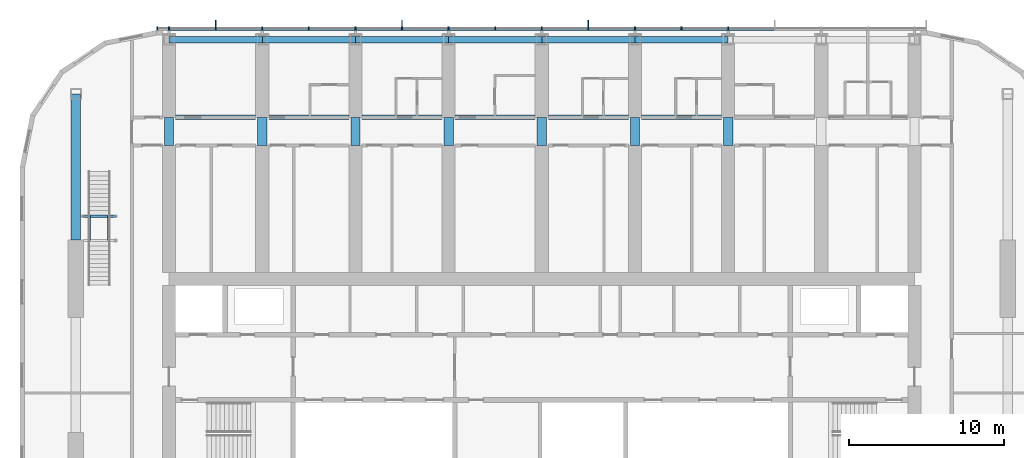
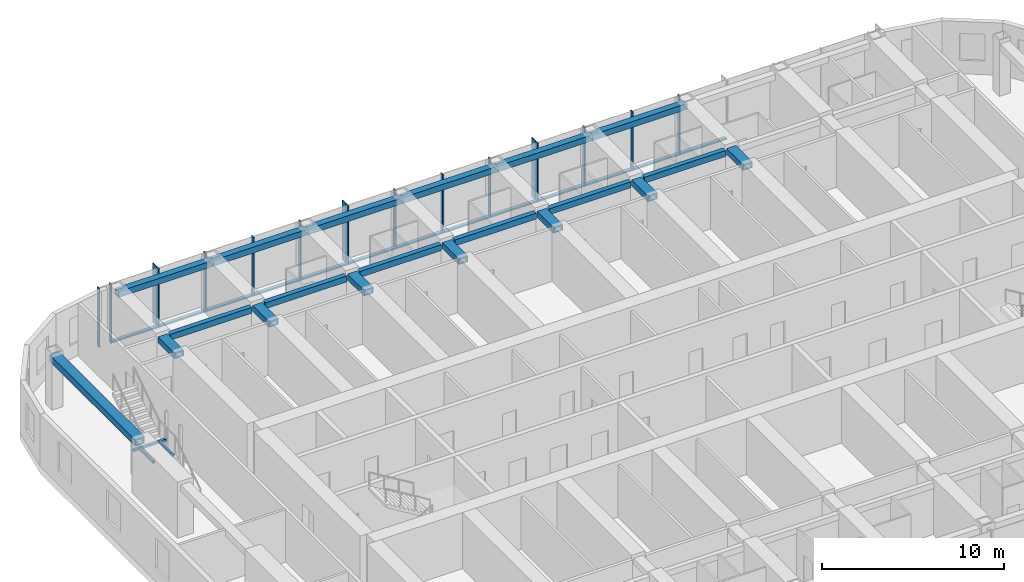
# One storey, part 8 of 29: 30 members, 23 beams, 1 element without a shape of its own.
"""IFC4 building model written with IfcOpenShell, lengths in metres."""

from ifc_helpers import new_model, si_unit, direction, frame, origin, origin_2d, place, context, subcontext, project, spatial, rectangle, hollow_rectangle, extrude, material, material_profile, profile_set, type_object, element, aggregate, save


model = new_model("IFC4")

# Units and contexts
model_context = context("Model", 3, precision=1e-05, world=origin(), true_north=direction((0.0, 1.0)))
body_context = subcontext(model_context, "Body", "Model", "MODEL_VIEW")
ifc_project = project(units=[si_unit("LENGTHUNIT", "METRE"), si_unit("AREAUNIT", "SQUARE_METRE"), si_unit("VOLUMEUNIT", "CUBIC_METRE"), si_unit("PLANEANGLEUNIT", "RADIAN"), si_unit("MASSUNIT", "GRAM", prefix="KILO")], contexts=[model_context])

# Site, building, storey
site_placement = place(None, origin())
site = spatial("IfcSite", under=ifc_project, at=site_placement, CompositionType="ELEMENT")
building_placement = place(site_placement, origin())
building = spatial("IfcBuilding", under=site, at=building_placement, Name="Orbita Commons", CompositionType="ELEMENT")
storey_placement = place(building_placement, frame((0.0, 0.0, 163.60009765625)))
storey = spatial("IfcBuildingStorey", under=building, at=storey_placement, Name="L40", CompositionType="ELEMENT", Elevation=163.60009765625)

# Curtain wall, members
ifc_material_1 = material(Name="Anodised aluminium frame, pale silver", Category="aluminium")
curtain_wall_type = type_object("IfcCurtainWallType", Name="Unitised curtain wall CW-U, full-height vision", PredefinedType="NOTDEFINED", material=ifc_material_1)
curtain_wall_placement = place(storey_placement, origin())
curtain_wall = element("IfcCurtainWall", 1, at=curtain_wall_placement, inside=storey, type_object=curtain_wall_type, Name="Curtain wall north L40", PredefinedType="NOTDEFINED")
ifc_material_2 = material(Name="Anodised aluminium, pale silver", Category="aluminium")
ifc_material_profile_1 = material_profile(ifc_material_2, rectangle(XDim=0.080078125, YDim=0.219970703125, at=origin_2d()), Name="AL 80x220")
ifc_profile_set_1 = profile_set([ifc_material_profile_1], Name="Anodised aluminium, pale silver")
member_type_1 = type_object("IfcMemberType", Name="Curtain wall mullion 80x220", PredefinedType="MULLION", material=ifc_profile_set_1)
member_1_placement = place(storey_placement, frame((54.0, 54.31005859375, -0.4501953125), z_axis=(0.0, 0.0, 1.0), x_axis=(-1.0, 0.0, 0.0)))
member_1 = element("IfcMember", 2, at=member_1_placement, type_object=member_type_1, Name="Mullion 6 CW-L40-N", PredefinedType="MULLION", context=body_context, shape_type="SweptSolid", body=[
    extrude(rectangle(XDim=0.080078125, YDim=0.219970703125, at=origin_2d()), origin(), (0.0, 0.0, 1.0), 3.9501953125),
])
member_2_placement = place(storey_placement, frame((51.0, 54.31005859375, -0.4501953125), z_axis=(0.0, 0.0, 1.0), x_axis=(-1.0, 0.0, 0.0)))
member_2 = element("IfcMember", 3, at=member_2_placement, type_object=member_type_1, Name="Mullion 7 CW-L40-N", PredefinedType="MULLION", context=body_context, shape_type="SweptSolid", body=[
    extrude(rectangle(XDim=0.080078125, YDim=0.219970703125, at=origin_2d()), origin(), (0.0, 0.0, 1.0), 3.9501953125),
])
member_3_placement = place(storey_placement, frame((48.0, 54.31005859375, -0.4501953125), z_axis=(0.0, 0.0, 1.0), x_axis=(-1.0, 0.0, 0.0)))
member_3 = element("IfcMember", 4, at=member_3_placement, type_object=member_type_1, Name="Mullion 8 CW-L40-N", PredefinedType="MULLION", context=body_context, shape_type="SweptSolid", body=[
    extrude(rectangle(XDim=0.080078125, YDim=0.219970703125, at=origin_2d()), origin(), (0.0, 0.0, 1.0), 3.9501953125),
])
member_4_placement = place(storey_placement, frame((45.0, 54.31005859375, -0.4501953125), z_axis=(0.0, 0.0, 1.0), x_axis=(-1.0, 0.0, 0.0)))
member_4 = element("IfcMember", 5, at=member_4_placement, type_object=member_type_1, Name="Mullion 9 CW-L40-N", PredefinedType="MULLION", context=body_context, shape_type="SweptSolid", body=[
    extrude(rectangle(XDim=0.080078125, YDim=0.219970703125, at=origin_2d()), origin(), (0.0, 0.0, 1.0), 3.9501953125),
])
member_5_placement = place(storey_placement, frame((42.0, 54.31005859375, -0.4501953125), z_axis=(0.0, 0.0, 1.0), x_axis=(-1.0, 0.0, 0.0)))
member_5 = element("IfcMember", 6, at=member_5_placement, type_object=member_type_1, Name="Mullion 10 CW-L40-N", PredefinedType="MULLION", context=body_context, shape_type="SweptSolid", body=[
    extrude(rectangle(XDim=0.080078125, YDim=0.219970703125, at=origin_2d()), origin(), (0.0, 0.0, 1.0), 3.9501953125),
])
member_6_placement = place(storey_placement, frame((39.0, 54.31005859375, -0.4501953125), z_axis=(0.0, 0.0, 1.0), x_axis=(-1.0, 0.0, 0.0)))
member_6 = element("IfcMember", 7, at=member_6_placement, type_object=member_type_1, Name="Mullion 11 CW-L40-N", PredefinedType="MULLION", context=body_context, shape_type="SweptSolid", body=[
    extrude(rectangle(XDim=0.080078125, YDim=0.219970703125, at=origin_2d()), origin(), (0.0, 0.0, 1.0), 3.9501953125),
])
member_7_placement = place(storey_placement, frame((36.0, 54.31005859375, -0.4501953125), z_axis=(0.0, 0.0, 1.0), x_axis=(-1.0, 0.0, 0.0)))
member_7 = element("IfcMember", 8, at=member_7_placement, type_object=member_type_1, Name="Mullion 12 CW-L40-N", PredefinedType="MULLION", context=body_context, shape_type="SweptSolid", body=[
    extrude(rectangle(XDim=0.080078125, YDim=0.219970703125, at=origin_2d()), origin(), (0.0, 0.0, 1.0), 3.9501953125),
])
member_8_placement = place(storey_placement, frame((33.0, 54.31005859375, -0.4501953125), z_axis=(0.0, 0.0, 1.0), x_axis=(-1.0, 0.0, 0.0)))
member_8 = element("IfcMember", 9, at=member_8_placement, type_object=member_type_1, Name="Mullion 13 CW-L40-N", PredefinedType="MULLION", context=body_context, shape_type="SweptSolid", body=[
    extrude(rectangle(XDim=0.080078125, YDim=0.219970703125, at=origin_2d()), origin(), (0.0, 0.0, 1.0), 3.9501953125),
])
member_9_placement = place(storey_placement, frame((30.0, 54.31005859375, -0.4501953125), z_axis=(0.0, 0.0, 1.0), x_axis=(-1.0, 0.0, 0.0)))
member_9 = element("IfcMember", 10, at=member_9_placement, type_object=member_type_1, Name="Mullion 14 CW-L40-N", PredefinedType="MULLION", context=body_context, shape_type="SweptSolid", body=[
    extrude(rectangle(XDim=0.080078125, YDim=0.219970703125, at=origin_2d()), origin(), (0.0, 0.0, 1.0), 3.9501953125),
])
member_10_placement = place(storey_placement, frame((27.0, 54.31005859375, -0.4501953125), z_axis=(0.0, 0.0, 1.0), x_axis=(-1.0, 0.0, 0.0)))
member_10 = element("IfcMember", 11, at=member_10_placement, type_object=member_type_1, Name="Mullion 15 CW-L40-N", PredefinedType="MULLION", context=body_context, shape_type="SweptSolid", body=[
    extrude(rectangle(XDim=0.080078125, YDim=0.219970703125, at=origin_2d()), origin(), (0.0, 0.0, 1.0), 3.9501953125),
])
member_11_placement = place(storey_placement, frame((24.0, 54.31005859375, -0.4501953125), z_axis=(0.0, 0.0, 1.0), x_axis=(-1.0, 0.0, 0.0)))
member_11 = element("IfcMember", 12, at=member_11_placement, type_object=member_type_1, Name="Mullion 16 CW-L40-N", PredefinedType="MULLION", context=body_context, shape_type="SweptSolid", body=[
    extrude(rectangle(XDim=0.080078125, YDim=0.219970703125, at=origin_2d()), origin(), (0.0, 0.0, 1.0), 3.9501953125),
])
member_12_placement = place(storey_placement, frame((21.0, 54.31005859375, -0.4501953125), z_axis=(0.0, 0.0, 1.0), x_axis=(-1.0, 0.0, 0.0)))
member_12 = element("IfcMember", 13, at=member_12_placement, type_object=member_type_1, Name="Mullion 17 CW-L40-N", PredefinedType="MULLION", context=body_context, shape_type="SweptSolid", body=[
    extrude(rectangle(XDim=0.080078125, YDim=0.219970703125, at=origin_2d()), origin(), (0.0, 0.0, 1.0), 3.9501953125),
])
member_13_placement = place(storey_placement, frame((18.0, 54.31005859375, -0.4501953125), z_axis=(0.0, 0.0, 1.0), x_axis=(-1.0, 0.0, 0.0)))
member_13 = element("IfcMember", 14, at=member_13_placement, type_object=member_type_1, Name="Mullion 18 CW-L40-N", PredefinedType="MULLION", context=body_context, shape_type="SweptSolid", body=[
    extrude(rectangle(XDim=0.080078125, YDim=0.219970703125, at=origin_2d()), origin(), (0.0, 0.0, 1.0), 3.9501953125),
])
member_14_placement = place(storey_placement, frame((17.239990234375, 54.31005859375, -0.4501953125), z_axis=(0.0, 0.0, 1.0), x_axis=(-1.0, 0.0, 0.0)))
member_14 = element("IfcMember", 15, at=member_14_placement, type_object=member_type_1, Name="Mullion 19 CW-L40-N", PredefinedType="MULLION", context=body_context, shape_type="SweptSolid", body=[
    extrude(rectangle(XDim=0.080078125, YDim=0.219970703125, at=origin_2d()), origin(), (0.0, 0.0, 1.0), 3.9501953125),
])
ifc_material_3 = material(Name="Anodised aluminium, pale silver", Category="aluminium")
ifc_material_profile_2 = material_profile(ifc_material_3, rectangle(XDim=0.219970703125, YDim=0.10009765625, at=origin_2d()), Name="AL 220x100")
ifc_profile_set_2 = profile_set([ifc_material_profile_2], Name="Anodised aluminium, pale silver")
member_type_2 = type_object("IfcMemberType", Name="Curtain wall stack transom 220x100", PredefinedType="USERDEFINED", material=ifc_profile_set_2)
member_15_placement = place(storey_placement, frame((56.9599609375, 54.31005859375, -0.400146484375), z_axis=(-1.0, 0.0, 0.0), x_axis=(0.0, -1.0, 0.0)))
member_15 = element("IfcMember", 16, at=member_15_placement, type_object=member_type_2, Name="Transom 5.1 CW-L40-N", ObjectType="TRANSOM", PredefinedType="USERDEFINED", context=body_context, shape_type="SweptSolid", body=[
    extrude(rectangle(XDim=0.219970703125, YDim=0.10009765625, at=origin_2d()), origin(), (0.0, 0.0, 1.0), 2.919921875),
])
member_16_placement = place(storey_placement, frame((53.9599609375, 54.31005859375, -0.400146484375), z_axis=(-1.0, 0.0, 0.0), x_axis=(0.0, -1.0, 0.0)))
member_16 = element("IfcMember", 17, at=member_16_placement, type_object=member_type_2, Name="Transom 6.1 CW-L40-N", ObjectType="TRANSOM", PredefinedType="USERDEFINED", context=body_context, shape_type="SweptSolid", body=[
    extrude(rectangle(XDim=0.219970703125, YDim=0.10009765625, at=origin_2d()), origin(), (0.0, 0.0, 1.0), 2.919921875),
])
member_17_placement = place(storey_placement, frame((50.9599609375, 54.31005859375, -0.400146484375), z_axis=(-1.0, 0.0, 0.0), x_axis=(0.0, -1.0, 0.0)))
member_17 = element("IfcMember", 18, at=member_17_placement, type_object=member_type_2, Name="Transom 7.1 CW-L40-N", ObjectType="TRANSOM", PredefinedType="USERDEFINED", context=body_context, shape_type="SweptSolid", body=[
    extrude(rectangle(XDim=0.219970703125, YDim=0.10009765625, at=origin_2d()), origin(), (0.0, 0.0, 1.0), 2.919921875),
])
member_18_placement = place(storey_placement, frame((47.9599609375, 54.31005859375, -0.400146484375), z_axis=(-1.0, 0.0, 0.0), x_axis=(0.0, -1.0, 0.0)))
member_18 = element("IfcMember", 19, at=member_18_placement, type_object=member_type_2, Name="Transom 8.1 CW-L40-N", ObjectType="TRANSOM", PredefinedType="USERDEFINED", context=body_context, shape_type="SweptSolid", body=[
    extrude(rectangle(XDim=0.219970703125, YDim=0.10009765625, at=origin_2d()), origin(), (0.0, 0.0, 1.0), 2.919921875),
])
member_19_placement = place(storey_placement, frame((44.9599609375, 54.31005859375, -0.400146484375), z_axis=(-1.0, 0.0, 0.0), x_axis=(0.0, -1.0, 0.0)))
member_19 = element("IfcMember", 20, at=member_19_placement, type_object=member_type_2, Name="Transom 9.1 CW-L40-N", ObjectType="TRANSOM", PredefinedType="USERDEFINED", context=body_context, shape_type="SweptSolid", body=[
    extrude(rectangle(XDim=0.219970703125, YDim=0.10009765625, at=origin_2d()), origin(), (0.0, 0.0, 1.0), 2.919921875),
])
member_20_placement = place(storey_placement, frame((41.9599609375, 54.31005859375, -0.400146484375), z_axis=(-1.0, 0.0, 0.0), x_axis=(0.0, -1.0, 0.0)))
member_20 = element("IfcMember", 21, at=member_20_placement, type_object=member_type_2, Name="Transom 10.1 CW-L40-N", ObjectType="TRANSOM", PredefinedType="USERDEFINED", context=body_context, shape_type="SweptSolid", body=[
    extrude(rectangle(XDim=0.219970703125, YDim=0.10009765625, at=origin_2d()), origin(), (0.0, 0.0, 1.0), 2.919921875),
])
member_21_placement = place(storey_placement, frame((38.9599609375, 54.31005859375, -0.400146484375), z_axis=(-1.0, 0.0, 0.0), x_axis=(0.0, -1.0, 0.0)))
member_21 = element("IfcMember", 22, at=member_21_placement, type_object=member_type_2, Name="Transom 11.1 CW-L40-N", ObjectType="TRANSOM", PredefinedType="USERDEFINED", context=body_context, shape_type="SweptSolid", body=[
    extrude(rectangle(XDim=0.219970703125, YDim=0.10009765625, at=origin_2d()), origin(), (0.0, 0.0, 1.0), 2.919921875),
])
member_22_placement = place(storey_placement, frame((35.9599609375, 54.31005859375, -0.400146484375), z_axis=(-1.0, 0.0, 0.0), x_axis=(0.0, -1.0, 0.0)))
member_22 = element("IfcMember", 23, at=member_22_placement, type_object=member_type_2, Name="Transom 12.1 CW-L40-N", ObjectType="TRANSOM", PredefinedType="USERDEFINED", context=body_context, shape_type="SweptSolid", body=[
    extrude(rectangle(XDim=0.219970703125, YDim=0.10009765625, at=origin_2d()), origin(), (0.0, 0.0, 1.0), 2.919921875),
])
member_23_placement = place(storey_placement, frame((32.9599609375, 54.31005859375, -0.400146484375), z_axis=(-1.0, 0.0, 0.0), x_axis=(0.0, -1.0, 0.0)))
member_23 = element("IfcMember", 24, at=member_23_placement, type_object=member_type_2, Name="Transom 13.1 CW-L40-N", ObjectType="TRANSOM", PredefinedType="USERDEFINED", context=body_context, shape_type="SweptSolid", body=[
    extrude(rectangle(XDim=0.219970703125, YDim=0.10009765625, at=origin_2d()), origin(), (0.0, 0.0, 1.0), 2.919921875),
])
member_24_placement = place(storey_placement, frame((29.9599609375, 54.31005859375, -0.400146484375), z_axis=(-1.0, 0.0, 0.0), x_axis=(0.0, -1.0, 0.0)))
member_24 = element("IfcMember", 25, at=member_24_placement, type_object=member_type_2, Name="Transom 14.1 CW-L40-N", ObjectType="TRANSOM", PredefinedType="USERDEFINED", context=body_context, shape_type="SweptSolid", body=[
    extrude(rectangle(XDim=0.219970703125, YDim=0.10009765625, at=origin_2d()), origin(), (0.0, 0.0, 1.0), 2.919921875),
])
member_25_placement = place(storey_placement, frame((26.9599609375, 54.31005859375, -0.400146484375), z_axis=(-1.0, 0.0, 0.0), x_axis=(0.0, -1.0, 0.0)))
member_25 = element("IfcMember", 26, at=member_25_placement, type_object=member_type_2, Name="Transom 15.1 CW-L40-N", ObjectType="TRANSOM", PredefinedType="USERDEFINED", context=body_context, shape_type="SweptSolid", body=[
    extrude(rectangle(XDim=0.219970703125, YDim=0.10009765625, at=origin_2d()), origin(), (0.0, 0.0, 1.0), 2.919921875),
])
member_26_placement = place(storey_placement, frame((23.9599609375, 54.31005859375, -0.400146484375), z_axis=(-1.0, 0.0, 0.0), x_axis=(0.0, -1.0, 0.0)))
member_26 = element("IfcMember", 27, at=member_26_placement, type_object=member_type_2, Name="Transom 16.1 CW-L40-N", ObjectType="TRANSOM", PredefinedType="USERDEFINED", context=body_context, shape_type="SweptSolid", body=[
    extrude(rectangle(XDim=0.219970703125, YDim=0.10009765625, at=origin_2d()), origin(), (0.0, 0.0, 1.0), 2.919921875),
])
member_27_placement = place(storey_placement, frame((20.9599609375, 54.31005859375, -0.400146484375), z_axis=(-1.0, 0.0, 0.0), x_axis=(0.0, -1.0, 0.0)))
member_27 = element("IfcMember", 28, at=member_27_placement, type_object=member_type_2, Name="Transom 17.1 CW-L40-N", ObjectType="TRANSOM", PredefinedType="USERDEFINED", context=body_context, shape_type="SweptSolid", body=[
    extrude(rectangle(XDim=0.219970703125, YDim=0.10009765625, at=origin_2d()), origin(), (0.0, 0.0, 1.0), 2.919921875),
])

# Beams
ifc_material_4 = material(Name="Steel ASTM A992", Category="steel")
ifc_material_profile_3 = material_profile(ifc_material_4, hollow_rectangle(XDim=0.14990234375, YDim=0.14990234375, WallThickness=0.008056640625, at=origin_2d()), Name="SHS 150x150x8")
ifc_profile_set_3 = profile_set([ifc_material_profile_3], Name="Steel ASTM A992")
beam_type_1 = type_object("IfcBeamType", Name="Landing frame beam SHS 150x150x8", PredefinedType="BEAM", material=ifc_profile_set_3)
beam_1_placement = place(storey_placement, frame((12.449951171875, 42.235107421875, 1.599853515625), z_axis=(1.0, 0.0, 0.0), x_axis=(0.0, 1.0, 0.0)))
element("IfcBeam", 29, at=beam_1_placement, inside=storey, type_object=beam_type_1, Name="Neighbourhood stair L40 to L41 landing frame beam 2", PredefinedType="BEAM", context=body_context, shape_type="SweptSolid", body=[
    extrude(hollow_rectangle(XDim=0.14990234375, YDim=0.14990234375, WallThickness=0.008056640625, at=origin_2d()), origin(), (0.0, 0.0, 1.0), 2.10009765625),
])
for number, where, z_axis, x_axis, name in (
    (30, (12.875, 40.675048828125, 1.599853515625), (0.0, 1.0, 0.0), (-1.0, 0.0, 0.0), "Neighbourhood stair L40 to L41 landing frame beam 3"),
    (31, (14.125, 40.675048828125, 1.599853515625), (0.0, 1.0, 0.0), (-1.0, 0.0, 0.0), "Neighbourhood stair L40 to L41 landing frame beam 4"),
):
    element("IfcBeam", number, at=place(storey_placement, frame(where, z_axis=z_axis, x_axis=x_axis)), inside=storey, type_object=beam_type_1, Name=name, PredefinedType="BEAM", context=body_context, shape_type="SweptSolid", body=[
        extrude(hollow_rectangle(XDim=0.14990234375, YDim=0.14990234375, WallThickness=0.008056640625, at=origin_2d()), origin(), (0.0, 0.0, 1.0), 1.56005859375),
    ])
ifc_material_5 = material(Name="Steel ASTM A572 Gr 50 welded plate", Category="steel")
ifc_material_profile_4 = material_profile(ifc_material_5, hollow_rectangle(XDim=0.300048828125, YDim=0.39990234375, WallThickness=0.0400390625, at=origin_2d()), Name="BOX 400x300x40")
ifc_profile_set_4 = profile_set([ifc_material_profile_4], Name="Steel ASTM A572 Gr 50 welded plate")
beam_type_2 = type_object("IfcBeamType", Name="Steel corridor link BOX 400x300x40", PredefinedType="BEAM", material=ifc_profile_set_4)
for number, where, z_axis, x_axis, name in (
    (32, (18.425048828125, 48.60009765625, 3.2998046875), (1.0, 0.0, 0.0), (0.0, 1.0, 0.0), "Corridor beam NB 4-5 L40"),
    (33, (24.425048828125, 48.60009765625, 3.2998046875), (1.0, 0.0, 0.0), (0.0, 1.0, 0.0), "Corridor beam NB 5-6 L40"),
    (34, (30.425048828125, 48.60009765625, 3.2998046875), (1.0, 0.0, 0.0), (0.0, 1.0, 0.0), "Corridor beam NB 6-7 L40"),
    (35, (36.425048828125, 48.60009765625, 3.2998046875), (1.0, 0.0, 0.0), (0.0, 1.0, 0.0), "Corridor beam NB 7-8 L40"),
    (36, (42.425048828125, 48.60009765625, 3.2998046875), (1.0, 0.0, 0.0), (0.0, 1.0, 0.0), "Corridor beam NB 8-9 L40"),
    (37, (48.425048828125, 48.60009765625, 3.2998046875), (1.0, 0.0, 0.0), (0.0, 1.0, 0.0), "Corridor beam NB 9-10 L40"),
):
    element("IfcBeam", number, at=place(storey_placement, frame(where, z_axis=z_axis, x_axis=x_axis)), inside=storey, type_object=beam_type_2, Name=name, PredefinedType="BEAM", context=body_context, shape_type="SweptSolid", body=[
        extrude(hollow_rectangle(XDim=0.300048828125, YDim=0.39990234375, WallThickness=0.0400390625, at=origin_2d()), origin(), (0.0, 0.0, 1.0), 5.14990234375),
    ])
ifc_material_6 = material(Name="Steel ASTM A572 Gr 50 welded plate", Category="steel")
ifc_material_profile_5 = material_profile(ifc_material_6, hollow_rectangle(XDim=0.60009765625, YDim=0.39990234375, WallThickness=0.050048828125, at=origin_2d()), Name="BOX 400x600x50")
ifc_profile_set_5 = profile_set([ifc_material_profile_5], Name="Steel ASTM A572 Gr 50 welded plate")
beam_type_3 = type_object("IfcBeamType", Name="Steel coupling link BOX 400x600x50", PredefinedType="LINTEL", material=ifc_profile_set_5)
for number, where, z_axis, x_axis, name in (
    (38, (18.0, 46.800048828125, 3.2998046875), (0.0, 1.0, 0.0), (-1.0, 0.0, 0.0), "Coupling beam 4 north L40"),
    (39, (24.0, 46.800048828125, 3.2998046875), (0.0, 1.0, 0.0), (-1.0, 0.0, 0.0), "Coupling beam 5 north L40"),
    (40, (30.0, 46.800048828125, 3.2998046875), (0.0, 1.0, 0.0), (-1.0, 0.0, 0.0), "Coupling beam 6 north L40"),
    (41, (36.0, 46.800048828125, 3.2998046875), (0.0, 1.0, 0.0), (-1.0, 0.0, 0.0), "Coupling beam 7 north L40"),
    (42, (42.0, 46.800048828125, 3.2998046875), (0.0, 1.0, 0.0), (-1.0, 0.0, 0.0), "Coupling beam 8 north L40"),
    (43, (48.0, 46.800048828125, 3.2998046875), (0.0, 1.0, 0.0), (-1.0, 0.0, 0.0), "Coupling beam 9 north L40"),
    (44, (54.0, 46.800048828125, 3.2998046875), (0.0, 1.0, 0.0), (-1.0, 0.0, 0.0), "Coupling beam 10 north L40"),
):
    element("IfcBeam", number, at=place(storey_placement, frame(where, z_axis=z_axis, x_axis=x_axis)), inside=storey, type_object=beam_type_3, Name=name, PredefinedType="LINTEL", context=body_context, shape_type="SweptSolid", body=[
        extrude(hollow_rectangle(XDim=0.60009765625, YDim=0.39990234375, WallThickness=0.050048828125, at=origin_2d()), origin(), (0.0, 0.0, 1.0), 1.800048828125),
    ])
ifc_material_7 = material(Name="Steel ASTM A572 Gr 50 welded plate", Category="steel")
ifc_material_profile_6 = material_profile(ifc_material_7, hollow_rectangle(XDim=0.60009765625, YDim=0.449951171875, WallThickness=0.06005859375, at=origin_2d()), Name="BOX 450x600x60")
ifc_profile_set_6 = profile_set([ifc_material_profile_6], Name="Steel ASTM A572 Gr 50 welded plate")
beam_type_4 = type_object("IfcBeamType", Name="Steel end frame link BOX 450x600x60", PredefinedType="BEAM", material=ifc_profile_set_6)
beam_2_placement = place(storey_placement, frame((12.0, 40.699951171875, 3.27490234375), z_axis=(0.0, 1.0, 0.0), x_axis=(-1.0, 0.0, 0.0)))
element("IfcBeam", 45, at=beam_2_placement, inside=storey, type_object=beam_type_4, Name="End frame beam 3 D-E L40", PredefinedType="BEAM", context=body_context, shape_type="SweptSolid", body=[
    extrude(hollow_rectangle(XDim=0.60009765625, YDim=0.449951171875, WallThickness=0.06005859375, at=origin_2d()), origin(), (0.0, 0.0, 1.0), 9.400146484375),
])
ifc_material_8 = material(Name="Steel ASTM A572 Gr 50 welded plate", Category="steel")
ifc_material_profile_7 = material_profile(ifc_material_8, hollow_rectangle(XDim=0.39990234375, YDim=0.39990234375, WallThickness=0.0400390625, at=origin_2d()), Name="BOX 400x400x40")
ifc_profile_set_7 = profile_set([ifc_material_profile_7], Name="Steel ASTM A572 Gr 50 welded plate")
beam_type_5 = type_object("IfcBeamType", Name="Steel spandrel BOX 400x400x40", PredefinedType="SPANDREL", material=ifc_profile_set_7)
for number, where, z_axis, x_axis, name in (
    (46, (18.0, 53.60009765625, 3.2998046875), (1.0, 0.0, 0.0), (0.0, 1.0, 0.0), "Spandrel beam E 4-5 L40"),
    (47, (24.0, 53.60009765625, 3.2998046875), (1.0, 0.0, 0.0), (0.0, 1.0, 0.0), "Spandrel beam E 5-6 L40"),
    (48, (30.0, 53.60009765625, 3.2998046875), (1.0, 0.0, 0.0), (0.0, 1.0, 0.0), "Spandrel beam E 6-7 L40"),
    (49, (36.0, 53.60009765625, 3.2998046875), (1.0, 0.0, 0.0), (0.0, 1.0, 0.0), "Spandrel beam E 7-8 L40"),
    (50, (42.0, 53.60009765625, 3.2998046875), (1.0, 0.0, 0.0), (0.0, 1.0, 0.0), "Spandrel beam E 8-9 L40"),
    (51, (48.0, 53.60009765625, 3.2998046875), (1.0, 0.0, 0.0), (0.0, 1.0, 0.0), "Spandrel beam E 9-10 L40"),
):
    element("IfcBeam", number, at=place(storey_placement, frame(where, z_axis=z_axis, x_axis=x_axis)), inside=storey, type_object=beam_type_5, Name=name, PredefinedType="SPANDREL", context=body_context, shape_type="SweptSolid", body=[
        extrude(hollow_rectangle(XDim=0.39990234375, YDim=0.39990234375, WallThickness=0.0400390625, at=origin_2d()), origin(), (0.0, 0.0, 1.0), 6.0),
    ])

# Member
ifc_material_9 = material(Name="Anodised aluminium, pale silver", Category="aluminium")
ifc_material_profile_8 = material_profile(ifc_material_9, rectangle(XDim=0.06005859375, YDim=0.449951171875, at=origin_2d()), Name="FIN 60x450")
ifc_profile_set_8 = profile_set([ifc_material_profile_8], Name="Anodised aluminium, pale silver")
member_type_3 = type_object("IfcMemberType", Name="Vertical fin 60x450 pale aluminium", PredefinedType="USERDEFINED", material=ifc_profile_set_8)
member_28_placement = place(storey_placement, frame((45.0, 54.64501953125, -0.4501953125), z_axis=(0.0, 0.0, 1.0), x_axis=(-1.0, 0.0, 0.0)))
member_28 = element("IfcMember", 52, at=member_28_placement, type_object=member_type_3, Name="Fin 9 CW-L40-N", ObjectType="FIN", PredefinedType="USERDEFINED", context=body_context, shape_type="SweptSolid", body=[
    extrude(rectangle(XDim=0.06005859375, YDim=0.449951171875, at=origin_2d()), origin(), (0.0, 0.0, 1.0), 3.9501953125),
])

member_29_placement = place(storey_placement, frame((33.0, 54.64501953125, -0.4501953125), z_axis=(0.0, 0.0, 1.0), x_axis=(-1.0, 0.0, 0.0)))
member_29 = element("IfcMember", 53, at=member_29_placement, type_object=member_type_3, Name="Fin 13 CW-L40-N", ObjectType="FIN", PredefinedType="USERDEFINED", context=body_context, shape_type="SweptSolid", body=[
    extrude(rectangle(XDim=0.06005859375, YDim=0.449951171875, at=origin_2d()), origin(), (0.0, 0.0, 1.0), 3.9501953125),
])

member_30_placement = place(storey_placement, frame((21.0, 54.64501953125, -0.4501953125), z_axis=(0.0, 0.0, 1.0), x_axis=(-1.0, 0.0, 0.0)))
member_30 = element("IfcMember", 54, at=member_30_placement, type_object=member_type_3, Name="Fin 17 CW-L40-N", ObjectType="FIN", PredefinedType="USERDEFINED", context=body_context, shape_type="SweptSolid", body=[
    extrude(rectangle(XDim=0.06005859375, YDim=0.449951171875, at=origin_2d()), origin(), (0.0, 0.0, 1.0), 3.9501953125),
])

aggregate(curtain_wall, [member_1, member_2, member_3, member_4, member_28, member_5, member_6, member_7, member_8, member_29, member_9, member_10, member_11, member_12, member_30, member_13, member_14, member_15, member_16, member_17, member_18, member_19, member_20, member_21, member_22, member_23, member_24, member_25, member_26, member_27])

save(model, "model.ifc")
